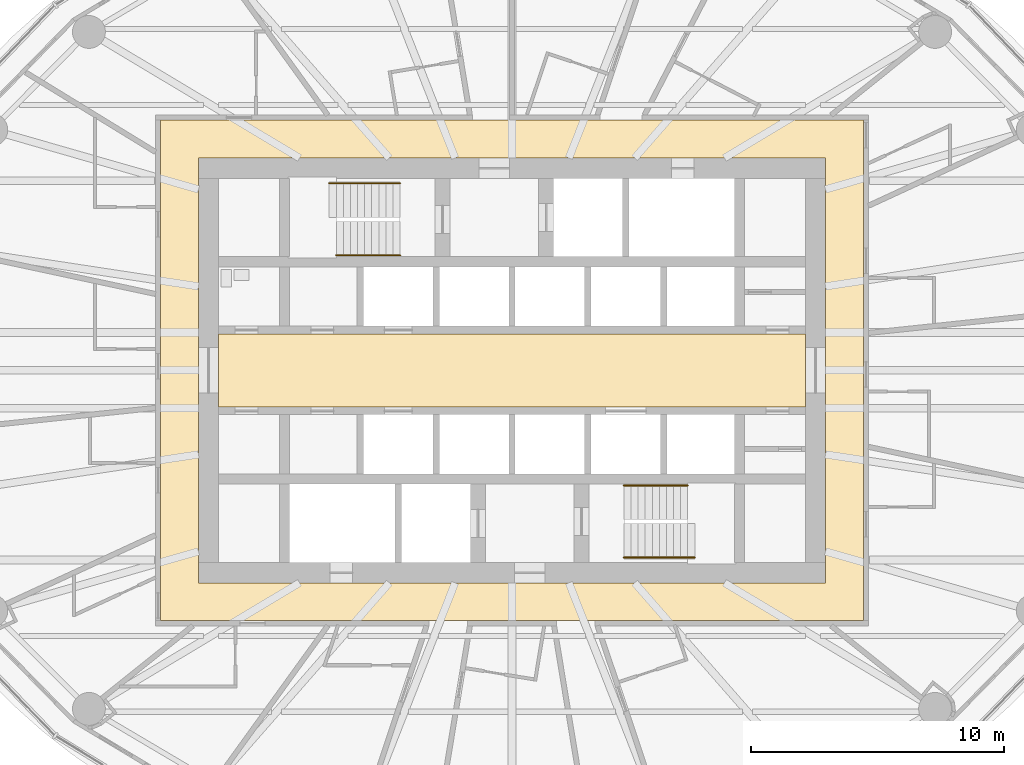
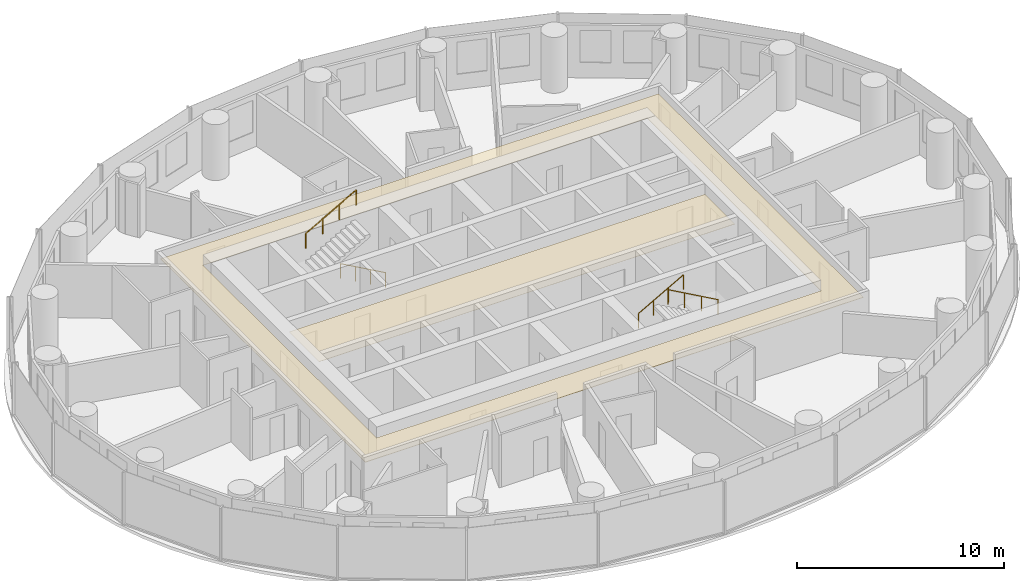
# One storey, part 13 of 14: 4 railings, 2 coverings.
"""IFC4 building model written with IfcOpenShell, lengths in metres."""

from ifc_helpers import new_model, si_unit, direction, frame, origin, origin_2d, place, context, subcontext, project, spatial, polyline, circle, outline, extrude, material, layer, layer_set, type_object, element, save


model = new_model("IFC4")

# Units and contexts
model_context = context("Model", 3, precision=1e-05, world=origin(), true_north=direction((0.0, 1.0)))
body_context = subcontext(model_context, "Body", "Model", "MODEL_VIEW")
ifc_project = project(units=[si_unit("LENGTHUNIT", "METRE"), si_unit("AREAUNIT", "SQUARE_METRE"), si_unit("VOLUMEUNIT", "CUBIC_METRE"), si_unit("PLANEANGLEUNIT", "RADIAN"), si_unit("MASSUNIT", "GRAM", prefix="KILO")], contexts=[model_context])

# Site, building, storey
site_placement = place(None, origin())
site = spatial("IfcSite", under=ifc_project, at=site_placement, CompositionType="ELEMENT")
building_placement = place(site_placement, origin())
building = spatial("IfcBuilding", under=site, at=building_placement, Name="Hankou Lantern Tower", CompositionType="ELEMENT")
storey_placement = place(building_placement, frame((0.0, 0.0, 115.5)))
storey = spatial("IfcBuildingStorey", under=building, at=storey_placement, Name="L29", CompositionType="ELEMENT", Elevation=115.5)

# Coverings
ifc_material_1 = material(Name="Black painted aluminium linear ceiling panels", Category="aluminium")
ifc_layer_1 = layer(ifc_material_1, 0.02490234375)
ifc_layer_set_1 = layer_set([ifc_layer_1], Name="Black painted aluminium linear ceiling panels")
covering_type_1 = type_object("IfcCoveringType", Name="CL1 CORRIDOR CEILING 25", PredefinedType="CEILING", material=ifc_layer_set_1)
covering_1_placement = place(storey_placement, frame((0.0, 0.0, 2.64501953125)))
element("IfcCovering", 1, at=covering_1_placement, inside=storey, type_object=covering_type_1, Name="Corridor ceiling L29", PredefinedType="CEILING", context=body_context, shape_type="SweptSolid", body=[
    extrude(outline(polyline([(-13.89990234375, -9.89990234375), (13.89990234375, -9.89990234375), (13.89990234375, 9.89990234375), (-13.89990234375, 9.89990234375), (-13.89990234375, -9.89990234375)]), holes=[polyline([(-12.39990234375, 8.39990234375), (12.39990234375, 8.39990234375), (12.39990234375, -8.39990234375), (-12.39990234375, -8.39990234375), (-12.39990234375, 8.39990234375)])]), origin(), (0.0, 0.0, 1.0), 0.02490234375),
])
ifc_material_2 = material(Name="Perforated black aluminium acoustic tray ceiling", Category="aluminium")
ifc_layer_2 = layer(ifc_material_2, 0.014892578125)
ifc_layer_set_2 = layer_set([ifc_layer_2], Name="Perforated black aluminium acoustic tray ceiling")
covering_type_2 = type_object("IfcCoveringType", Name="CL2 LIFT LOBBY CEILING 15", PredefinedType="CEILING", material=ifc_layer_set_2)
covering_2_placement = place(storey_placement, frame((0.0, 0.0, 2.655029296875)))
element("IfcCovering", 2, at=covering_2_placement, inside=storey, type_object=covering_type_2, Name="Lift lobby ceiling L29", PredefinedType="CEILING", context=body_context, shape_type="SweptSolid", body=[
    extrude(outline(polyline([(-11.60009765625, -1.449951171875), (11.60009765625, -1.449951171875), (11.60009765625, 1.449951171875), (-11.60009765625, 1.449951171875), (-11.60009765625, -1.449951171875)])), origin(), (0.0, 0.0, 1.0), 0.014892578125),
])

# Railings
ifc_material_3 = material(Name="Steel handrail", Category="steel")
railing_type = type_object("IfcRailingType", Name="HR1 STAIR HANDRAIL", PredefinedType="HANDRAIL", material=ifc_material_3)
railing_1_placement = place(storey_placement, frame((-4.429931640625, 4.550048828125, 0.89990234375)))
element("IfcRailing", 3, at=railing_1_placement, inside=storey, type_object=railing_type, Name="Handrail stair STA L29 flight 1", PredefinedType="HANDRAIL", context=body_context, shape_type="SweptSolid", body=[
    extrude(circle(Radius=0.02392578125, at=origin_2d()), frame((0.0, 0.0, 0.8759765625), z_axis=(-0.872048945198, 0.0, 0.489418672692), x_axis=(0.0, -1.0, 0.0)), (0.0, 0.0, 1.0), 2.8896484375),
    extrude(circle(Radius=0.02099609375, at=origin_2d()), origin(), (0.0, 0.0, 1.0), 0.851806640625),
    extrude(circle(Radius=0.02099609375, at=origin_2d()), frame((-0.840087890625, 0.0, 0.471435546875)), (0.0, 0.0, 1.0), 0.851806640625),
    extrude(circle(Radius=0.02099609375, at=origin_2d()), frame((-1.679931640625, 0.0, 0.94287109375)), (0.0, 0.0, 1.0), 0.851806640625),
    extrude(circle(Radius=0.02099609375, at=origin_2d()), frame((-2.52001953125, 0.0, 1.414306640625)), (0.0, 0.0, 1.0), 0.851806640625),
])
railing_2_placement = place(storey_placement, frame((-7.22998046875, 7.39990234375, 2.471435546875)))
element("IfcRailing", 4, at=railing_2_placement, inside=storey, type_object=railing_type, Name="Handrail stair STA L29 flight 2", PredefinedType="HANDRAIL", context=body_context, shape_type="SweptSolid", body=[
    extrude(circle(Radius=0.02392578125, at=origin_2d()), frame((0.0, 0.0, 0.8759765625), z_axis=(0.872040151574, 0.0, 0.489434340891), x_axis=(0.0, 1.0, 0.0)), (0.0, 0.0, 1.0), 3.2109375),
    extrude(circle(Radius=0.02099609375, at=origin_2d()), origin(), (0.0, 0.0, 1.0), 0.851806640625),
    extrude(circle(Radius=0.02099609375, at=origin_2d()), frame((0.933349609375, 0.0, 0.52392578125)), (0.0, 0.0, 1.0), 0.851806640625),
    extrude(circle(Radius=0.02099609375, at=origin_2d()), frame((1.86669921875, 0.0, 1.047607421875)), (0.0, 0.0, 1.0), 0.851806640625),
    extrude(circle(Radius=0.02099609375, at=origin_2d()), frame((2.800048828125, 0.0, 1.571533203125)), (0.0, 0.0, 1.0), 0.851806640625),
])
railing_3_placement = place(storey_placement, frame((4.429931640625, -4.550048828125, 0.89990234375)))
element("IfcRailing", 5, at=railing_3_placement, inside=storey, type_object=railing_type, Name="Handrail stair STB L29 flight 1", PredefinedType="HANDRAIL", context=body_context, shape_type="SweptSolid", body=[
    extrude(circle(Radius=0.02392578125, at=origin_2d()), frame((0.0, 0.0, 0.8759765625), z_axis=(0.872048945198, 0.0, 0.489418672692), x_axis=(0.0, 1.0, 0.0)), (0.0, 0.0, 1.0), 2.8896484375),
    extrude(circle(Radius=0.02099609375, at=origin_2d()), origin(), (0.0, 0.0, 1.0), 0.851806640625),
    extrude(circle(Radius=0.02099609375, at=origin_2d()), frame((0.840087890625, 0.0, 0.471435546875)), (0.0, 0.0, 1.0), 0.851806640625),
    extrude(circle(Radius=0.02099609375, at=origin_2d()), frame((1.679931640625, 0.0, 0.94287109375)), (0.0, 0.0, 1.0), 0.851806640625),
    extrude(circle(Radius=0.02099609375, at=origin_2d()), frame((2.52001953125, 0.0, 1.414306640625)), (0.0, 0.0, 1.0), 0.851806640625),
])
railing_4_placement = place(storey_placement, frame((7.22998046875, -7.39990234375, 2.471435546875)))
element("IfcRailing", 6, at=railing_4_placement, inside=storey, type_object=railing_type, Name="Handrail stair STB L29 flight 2", PredefinedType="HANDRAIL", context=body_context, shape_type="SweptSolid", body=[
    extrude(circle(Radius=0.02392578125, at=origin_2d()), frame((0.0, 0.0, 0.8759765625), z_axis=(-0.872040151574, 0.0, 0.489434340891), x_axis=(0.0, -1.0, 0.0)), (0.0, 0.0, 1.0), 3.2109375),
    extrude(circle(Radius=0.02099609375, at=origin_2d()), origin(), (0.0, 0.0, 1.0), 0.851806640625),
    extrude(circle(Radius=0.02099609375, at=origin_2d()), frame((-0.933349609375, 0.0, 0.52392578125)), (0.0, 0.0, 1.0), 0.851806640625),
    extrude(circle(Radius=0.02099609375, at=origin_2d()), frame((-1.86669921875, 0.0, 1.047607421875)), (0.0, 0.0, 1.0), 0.851806640625),
    extrude(circle(Radius=0.02099609375, at=origin_2d()), frame((-2.800048828125, 0.0, 1.571533203125)), (0.0, 0.0, 1.0), 0.851806640625),
])

save(model, "model.ifc")
